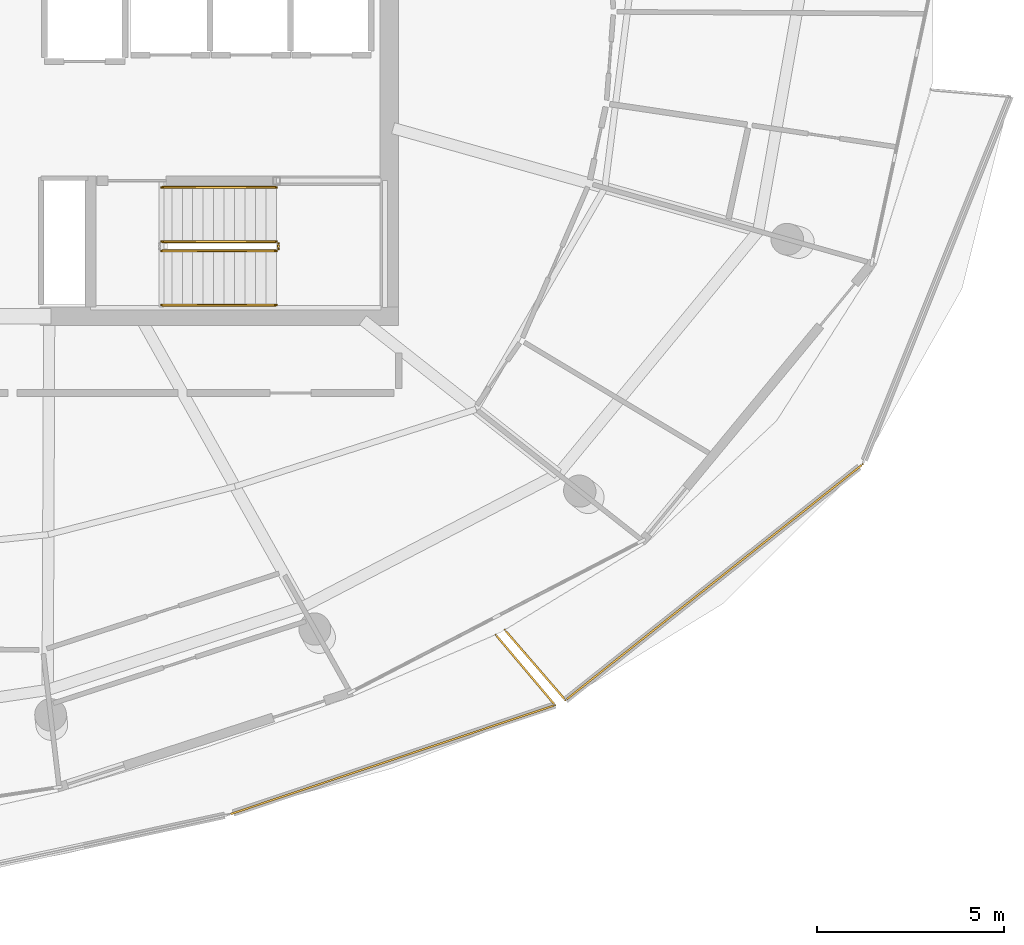
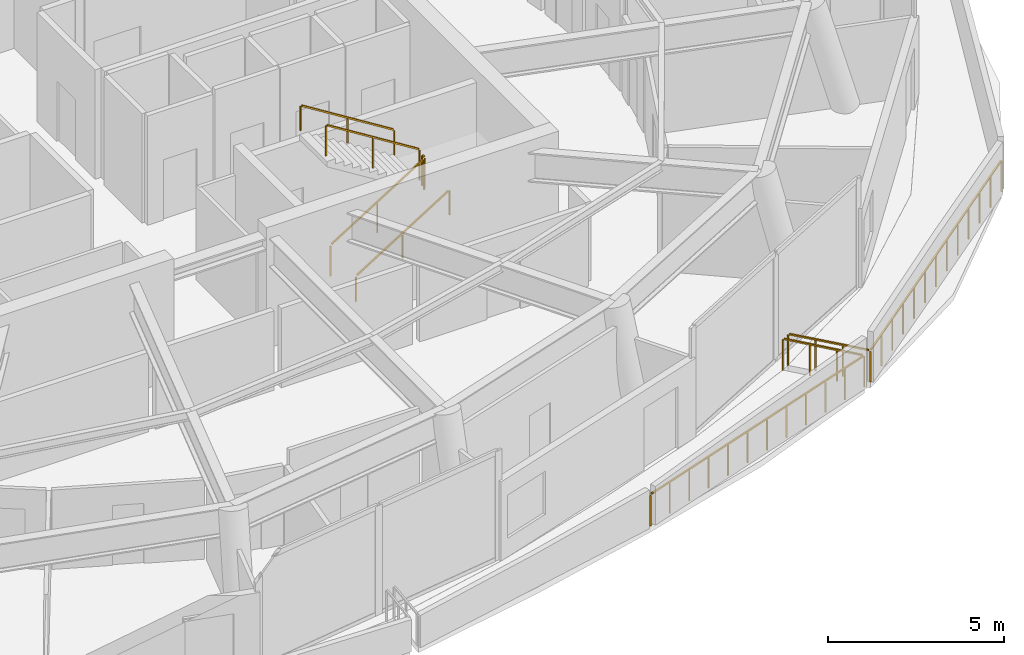
# One storey, part 17 of 19: 9 railings.
"""IFC4 building model written with IfcOpenShell, lengths in metres."""

from ifc_helpers import new_model, si_unit, direction, frame, origin, origin_2d, place, context, subcontext, project, spatial, rectangle, extrude, material, type_object, element, save


model = new_model("IFC4")

# Units and contexts
model_context = context("Model", 3, precision=1e-05, world=origin(), true_north=direction((0.0, 1.0)))
body_context = subcontext(model_context, "Body", "Model", "MODEL_VIEW")
ifc_project = project(units=[si_unit("LENGTHUNIT", "METRE"), si_unit("AREAUNIT", "SQUARE_METRE"), si_unit("VOLUMEUNIT", "CUBIC_METRE"), si_unit("PLANEANGLEUNIT", "RADIAN"), si_unit("MASSUNIT", "GRAM", prefix="KILO")], contexts=[model_context])

# Site, building, storey
site_placement = place(None, origin())
site = spatial("IfcSite", under=ifc_project, at=site_placement, CompositionType="ELEMENT")
building_placement = place(site_placement, origin())
building = spatial("IfcBuilding", under=site, at=building_placement, Name="Kazma Halo Residences", CompositionType="ELEMENT")
storey_placement = place(building_placement, frame((0.0, 0.0, 347.300048828125)))
storey = spatial("IfcBuildingStorey", under=building, at=storey_placement, Name="L87", CompositionType="ELEMENT", Elevation=347.300048828125)

# Railings
ifc_material_1 = material(Name="Aluminium AW-6063 T6 Brushed Cap Rail", Category="aluminium")
railing_type_1 = type_object("IfcRailingType", Name="RLG-BAL-CAP-1120", PredefinedType="BALUSTRADE", material=ifc_material_1)
railing_1_placement = place(storey_placement, frame((55.010986328125, 20.42236328125, 0.0)))
element("IfcRailing", 1, at=railing_1_placement, inside=storey, type_object=railing_type_1, Name="L87 SSE wave balcony guard 3", PredefinedType="BALUSTRADE", context=body_context, shape_type="SweptSolid", body=[
    extrude(rectangle(XDim=0.050048828125, YDim=0.050048828125, at=origin_2d()), frame((0.040283203125, 0.013427734375, 1.09521484375), z_axis=(0.94804983272, 0.318121855081, 0.0), x_axis=(-0.318121855081, 0.94804983272, 0.0)), (0.0, 0.0, 1.0), 9.114990234375),
    extrude(rectangle(XDim=0.0400390625, YDim=0.0400390625, at=origin_2d()), origin(), (0.0, 0.0, 1.0), 1.05810546875),
    extrude(rectangle(XDim=0.0400390625, YDim=0.0400390625, at=origin_2d()), frame((0.79296875, 0.26611328125, 0.0)), (0.0, 0.0, 1.0), 1.05810546875),
    extrude(rectangle(XDim=0.0400390625, YDim=0.0400390625, at=origin_2d()), frame((1.5859375, 0.5322265625, 0.0)), (0.0, 0.0, 1.0), 1.05810546875),
    extrude(rectangle(XDim=0.0400390625, YDim=0.0400390625, at=origin_2d()), frame((2.378662109375, 0.798095703125, 0.0)), (0.0, 0.0, 1.0), 1.05810546875),
    extrude(rectangle(XDim=0.0400390625, YDim=0.0400390625, at=origin_2d()), frame((3.171630859375, 1.064208984375, 0.0)), (0.0, 0.0, 1.0), 1.05810546875),
    extrude(rectangle(XDim=0.0400390625, YDim=0.0400390625, at=origin_2d()), frame((3.964599609375, 1.330322265625, 0.0)), (0.0, 0.0, 1.0), 1.05810546875),
    extrude(rectangle(XDim=0.0400390625, YDim=0.0400390625, at=origin_2d()), frame((4.757568359375, 1.596435546875, 0.0)), (0.0, 0.0, 1.0), 1.05810546875),
    extrude(rectangle(XDim=0.0400390625, YDim=0.0400390625, at=origin_2d()), frame((5.550537109375, 1.862548828125, 0.0)), (0.0, 0.0, 1.0), 1.05810546875),
    extrude(rectangle(XDim=0.0400390625, YDim=0.0400390625, at=origin_2d()), frame((6.343505859375, 2.128662109375, 0.0)), (0.0, 0.0, 1.0), 1.05810546875),
    extrude(rectangle(XDim=0.0400390625, YDim=0.0400390625, at=origin_2d()), frame((7.13623046875, 2.39453125, 0.0)), (0.0, 0.0, 1.0), 1.05810546875),
    extrude(rectangle(XDim=0.0400390625, YDim=0.0400390625, at=origin_2d()), frame((7.92919921875, 2.66064453125, 0.0)), (0.0, 0.0, 1.0), 1.05810546875),
    extrude(rectangle(XDim=0.0400390625, YDim=0.0400390625, at=origin_2d()), frame((8.72216796875, 2.9267578125, 0.0)), (0.0, 0.0, 1.0), 1.05810546875),
])
railing_2_placement = place(storey_placement, frame((63.733154296875, 23.34912109375, 0.0)))
element("IfcRailing", 2, at=railing_2_placement, inside=storey, type_object=railing_type_1, Name="L87 SSE wave balcony guard 4", PredefinedType="BALUSTRADE", context=body_context, shape_type="SweptSolid", body=[
    extrude(rectangle(XDim=0.050048828125, YDim=0.050048828125, at=origin_2d()), frame((-0.02734375, 0.032470703125, 1.09521484375), z_axis=(-0.644751608549, 0.764392152808, 0.0), x_axis=(-0.764392152808, -0.644751608549, 0.0)), (0.0, 0.0, 1.0), 2.3798828125),
    extrude(rectangle(XDim=0.0400390625, YDim=0.0400390625, at=origin_2d()), origin(), (0.0, 0.0, 1.0), 1.05810546875),
    extrude(rectangle(XDim=0.0400390625, YDim=0.0400390625, at=origin_2d()), frame((-0.52978515625, 0.628173828125, 0.0)), (0.0, 0.0, 1.0), 1.05810546875),
    extrude(rectangle(XDim=0.0400390625, YDim=0.0400390625, at=origin_2d()), frame((-1.0595703125, 1.256103515625, 0.0)), (0.0, 0.0, 1.0), 1.05810546875),
    extrude(rectangle(XDim=0.0400390625, YDim=0.0400390625, at=origin_2d()), frame((-1.58935546875, 1.88427734375, 0.0)), (0.0, 0.0, 1.0), 1.05810546875),
])
railing_3_placement = place(storey_placement, frame((62.38818359375, 25.360595703125, 0.0)))
element("IfcRailing", 3, at=railing_3_placement, inside=storey, type_object=railing_type_1, Name="L87 SE wave balcony guard 1", PredefinedType="BALUSTRADE", context=body_context, shape_type="SweptSolid", body=[
    extrude(rectangle(XDim=0.050048828125, YDim=0.050048828125, at=origin_2d()), frame((0.02783203125, -0.0322265625, 1.09521484375), z_axis=(0.654065258793, -0.756438125189, 0.0), x_axis=(0.756438125189, 0.654065258793, 0.0)), (0.0, 0.0, 1.0), 2.3974609375),
    extrude(rectangle(XDim=0.0400390625, YDim=0.0400390625, at=origin_2d()), origin(), (0.0, 0.0, 1.0), 1.05810546875),
    extrude(rectangle(XDim=0.0400390625, YDim=0.0400390625, at=origin_2d()), frame((0.541259765625, -0.6259765625, 0.0)), (0.0, 0.0, 1.0), 1.05810546875),
    extrude(rectangle(XDim=0.0400390625, YDim=0.0400390625, at=origin_2d()), frame((1.08251953125, -1.251953125, 0.0)), (0.0, 0.0, 1.0), 1.05810546875),
    extrude(rectangle(XDim=0.0400390625, YDim=0.0400390625, at=origin_2d()), frame((1.623779296875, -1.8779296875, 0.0)), (0.0, 0.0, 1.0), 1.05810546875),
])
railing_4_placement = place(storey_placement, frame((64.011962890625, 23.482666015625, 0.0)))
element("IfcRailing", 4, at=railing_4_placement, inside=storey, type_object=railing_type_1, Name="L87 SE wave balcony guard 2", PredefinedType="BALUSTRADE", context=body_context, shape_type="SweptSolid", body=[
    extrude(rectangle(XDim=0.050048828125, YDim=0.050048828125, at=origin_2d()), frame((0.033447265625, 0.0263671875, 1.09521484375), z_axis=(0.783376099718, 0.621547975937, 0.0), x_axis=(-0.621547975937, 0.783376099718, 0.0)), (0.0, 0.0, 1.0), 10.0634765625),
    extrude(rectangle(XDim=0.0400390625, YDim=0.0400390625, at=origin_2d()), origin(), (0.0, 0.0, 1.0), 1.05810546875),
    extrude(rectangle(XDim=0.0400390625, YDim=0.0400390625, at=origin_2d()), frame((0.66259765625, 0.525634765625, 0.0)), (0.0, 0.0, 1.0), 1.05810546875),
    extrude(rectangle(XDim=0.0400390625, YDim=0.0400390625, at=origin_2d()), frame((1.324951171875, 1.05126953125, 0.0)), (0.0, 0.0, 1.0), 1.05810546875),
    extrude(rectangle(XDim=0.0400390625, YDim=0.0400390625, at=origin_2d()), frame((1.987548828125, 1.576904296875, 0.0)), (0.0, 0.0, 1.0), 1.05810546875),
    extrude(rectangle(XDim=0.0400390625, YDim=0.0400390625, at=origin_2d()), frame((2.650146484375, 2.1025390625, 0.0)), (0.0, 0.0, 1.0), 1.05810546875),
    extrude(rectangle(XDim=0.0400390625, YDim=0.0400390625, at=origin_2d()), frame((3.3125, 2.628173828125, 0.0)), (0.0, 0.0, 1.0), 1.05810546875),
    extrude(rectangle(XDim=0.0400390625, YDim=0.0400390625, at=origin_2d()), frame((3.97509765625, 3.15380859375, 0.0)), (0.0, 0.0, 1.0), 1.05810546875),
    extrude(rectangle(XDim=0.0400390625, YDim=0.0400390625, at=origin_2d()), frame((4.6376953125, 3.6796875, 0.0)), (0.0, 0.0, 1.0), 1.05810546875),
    extrude(rectangle(XDim=0.0400390625, YDim=0.0400390625, at=origin_2d()), frame((5.300048828125, 4.205322265625, 0.0)), (0.0, 0.0, 1.0), 1.05810546875),
    extrude(rectangle(XDim=0.0400390625, YDim=0.0400390625, at=origin_2d()), frame((5.962646484375, 4.73095703125, 0.0)), (0.0, 0.0, 1.0), 1.05810546875),
    extrude(rectangle(XDim=0.0400390625, YDim=0.0400390625, at=origin_2d()), frame((6.625244140625, 5.256591796875, 0.0)), (0.0, 0.0, 1.0), 1.05810546875),
    extrude(rectangle(XDim=0.0400390625, YDim=0.0400390625, at=origin_2d()), frame((7.28759765625, 5.7822265625, 0.0)), (0.0, 0.0, 1.0), 1.05810546875),
    extrude(rectangle(XDim=0.0400390625, YDim=0.0400390625, at=origin_2d()), frame((7.9501953125, 6.307861328125, 0.0)), (0.0, 0.0, 1.0), 1.05810546875),
])
ifc_material_2 = material(Name="Painted Steel S355", Category="steel")
railing_type_2 = type_object("IfcRailingType", Name="RLG-STAIR-GRD-1100", PredefinedType="GUARDRAIL", material=ifc_material_2)
railing_5_placement = place(storey_placement, frame((53.199951171875, 35.5, 0.175048828125)))
element("IfcRailing", 5, at=railing_5_placement, inside=storey, type_object=railing_type_2, Name="L87 ST-03 stair guard 1", PredefinedType="GUARDRAIL", context=body_context, shape_type="SweptSolid", body=[
    extrude(rectangle(XDim=0.050048828125, YDim=0.050048828125, at=origin_2d()), frame((0.0361328125, 0.0, 1.09765625), z_axis=(0.848028513186, 0.0, 0.529950602248), x_axis=(0.0, 1.0, 0.0)), (0.0, 0.0, 1.0), 3.546875),
    extrude(rectangle(XDim=0.0400390625, YDim=0.0400390625, at=origin_2d()), origin(), (0.0, 0.0, 1.0), 1.0380859375),
    extrude(rectangle(XDim=0.0400390625, YDim=0.0400390625, at=origin_2d()), frame((1.5400390625, 0.0, 0.96240234375)), (0.0, 0.0, 1.0), 1.0380859375),
    extrude(rectangle(XDim=0.0400390625, YDim=0.0400390625, at=origin_2d()), frame((3.080078125, 0.0, 1.9248046875)), (0.0, 0.0, 1.0), 1.0380859375),
])
railing_6_placement = place(storey_placement, frame((56.330078125, 35.550048828125, 2.099853515625)))
element("IfcRailing", 6, at=railing_6_placement, inside=storey, type_object=railing_type_2, Name="L87 ST-03 stair guard 2", PredefinedType="GUARDRAIL", context=body_context, shape_type="SweptSolid", body=[
    extrude(rectangle(XDim=0.050048828125, YDim=0.050048828125, at=origin_2d()), frame((0.0, 0.04248046875, 1.0751953125), z_axis=(0.0, 1.0, 0.0), x_axis=(-1.0, 0.0, 0.0)), (0.0, 0.0, 1.0), 0.06494140625),
    extrude(rectangle(XDim=0.0400390625, YDim=0.0400390625, at=origin_2d()), origin(), (0.0, 0.0, 1.0), 1.0380859375),
    extrude(rectangle(XDim=0.0400390625, YDim=0.0400390625, at=origin_2d()), frame((0.0, 0.14990234375, 0.0)), (0.0, 0.0, 1.0), 1.0380859375),
])
railing_7_placement = place(storey_placement, frame((56.280029296875, 35.75, 2.27490234375)))
element("IfcRailing", 7, at=railing_7_placement, inside=storey, type_object=railing_type_2, Name="L87 ST-03 stair guard 3", PredefinedType="GUARDRAIL", context=body_context, shape_type="SweptSolid", body=[
    extrude(rectangle(XDim=0.050048828125, YDim=0.050048828125, at=origin_2d()), frame((-0.0361328125, 0.0, 1.09765625), z_axis=(-0.847998304005, 0.0, 0.529998940003), x_axis=(0.0, -1.0, 0.0)), (0.0, 0.0, 1.0), 3.547119140625),
    extrude(rectangle(XDim=0.0400390625, YDim=0.0400390625, at=origin_2d()), origin(), (0.0, 0.0, 1.0), 1.0380859375),
    extrude(rectangle(XDim=0.0400390625, YDim=0.0400390625, at=origin_2d()), frame((-1.5400390625, 0.0, 0.96240234375)), (0.0, 0.0, 1.0), 1.0380859375),
    extrude(rectangle(XDim=0.0400390625, YDim=0.0400390625, at=origin_2d()), frame((-3.080078125, 0.0, 1.925048828125)), (0.0, 0.0, 1.0), 1.0380859375),
])
ifc_material_3 = material(Name="Brushed Stainless Steel", Category="steel")
railing_type_3 = type_object("IfcRailingType", Name="RLG-STAIR-HND-900", PredefinedType="HANDRAIL", material=ifc_material_3)
railing_8_placement = place(storey_placement, frame((53.199951171875, 34.050048828125, 0.175048828125)))
element("IfcRailing", 8, at=railing_8_placement, inside=storey, type_object=railing_type_3, Name="L87 ST-03 stair handrail 1", PredefinedType="HANDRAIL", context=body_context, shape_type="SweptSolid", body=[
    extrude(rectangle(XDim=0.050048828125, YDim=0.050048828125, at=origin_2d()), frame((0.0361328125, 0.0, 0.8974609375), z_axis=(0.848028513186, 0.0, 0.529950602248), x_axis=(0.0, 1.0, 0.0)), (0.0, 0.0, 1.0), 3.546875),
    extrude(rectangle(XDim=0.0400390625, YDim=0.0400390625, at=origin_2d()), origin(), (0.0, 0.0, 1.0), 0.837890625),
    extrude(rectangle(XDim=0.0400390625, YDim=0.0400390625, at=origin_2d()), frame((1.5400390625, 0.0, 0.96240234375)), (0.0, 0.0, 1.0), 0.837890625),
    extrude(rectangle(XDim=0.0400390625, YDim=0.0400390625, at=origin_2d()), frame((3.080078125, 0.0, 1.9248046875)), (0.0, 0.0, 1.0), 0.837890625),
])
railing_9_placement = place(storey_placement, frame((56.280029296875, 37.199951171875, 2.27490234375)))
element("IfcRailing", 9, at=railing_9_placement, inside=storey, type_object=railing_type_3, Name="L87 ST-03 stair handrail 2", PredefinedType="HANDRAIL", context=body_context, shape_type="SweptSolid", body=[
    extrude(rectangle(XDim=0.050048828125, YDim=0.050048828125, at=origin_2d()), frame((-0.0361328125, 0.0, 0.8974609375), z_axis=(-0.847998304005, 0.0, 0.529998940003), x_axis=(0.0, -1.0, 0.0)), (0.0, 0.0, 1.0), 3.547119140625),
    extrude(rectangle(XDim=0.0400390625, YDim=0.0400390625, at=origin_2d()), origin(), (0.0, 0.0, 1.0), 0.837890625),
    extrude(rectangle(XDim=0.0400390625, YDim=0.0400390625, at=origin_2d()), frame((-1.5400390625, 0.0, 0.96240234375)), (0.0, 0.0, 1.0), 0.837890625),
    extrude(rectangle(XDim=0.0400390625, YDim=0.0400390625, at=origin_2d()), frame((-3.080078125, 0.0, 1.925048828125)), (0.0, 0.0, 1.0), 0.837890625),
])

save(model, "model.ifc")
